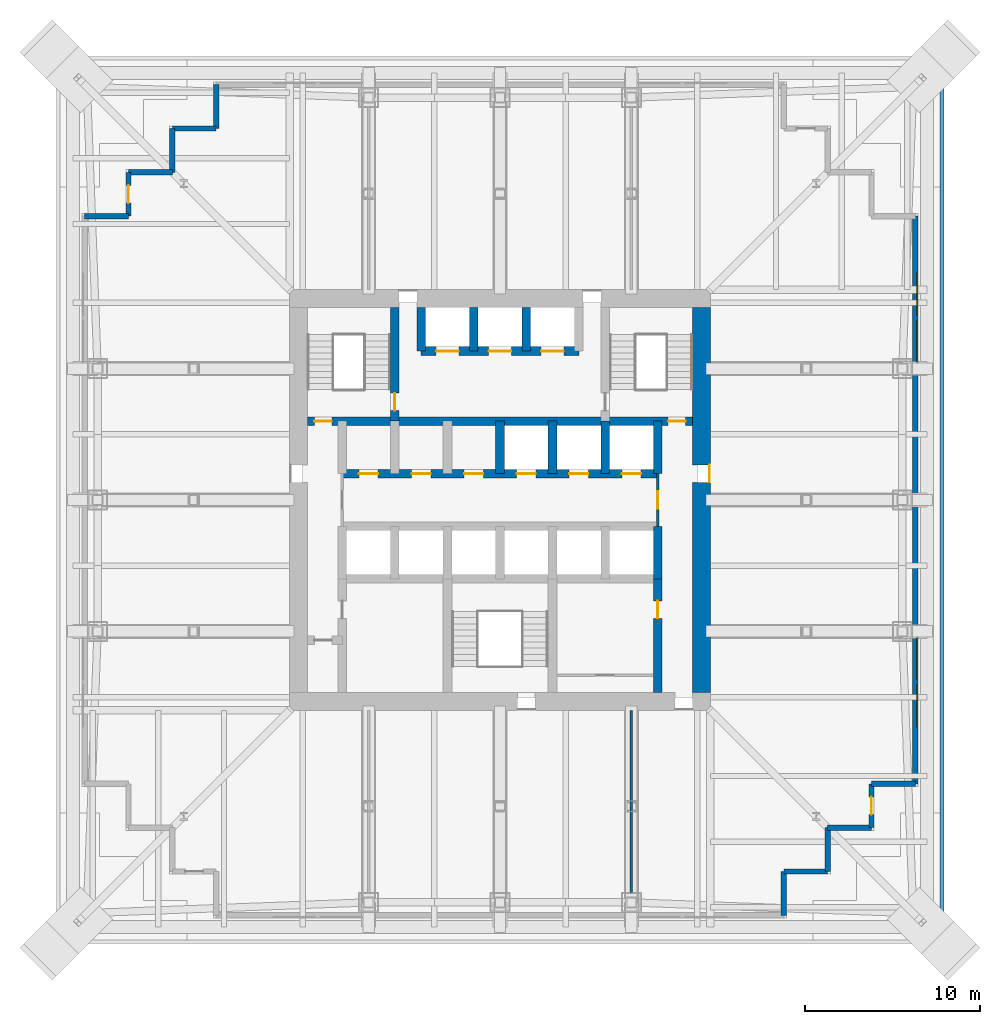
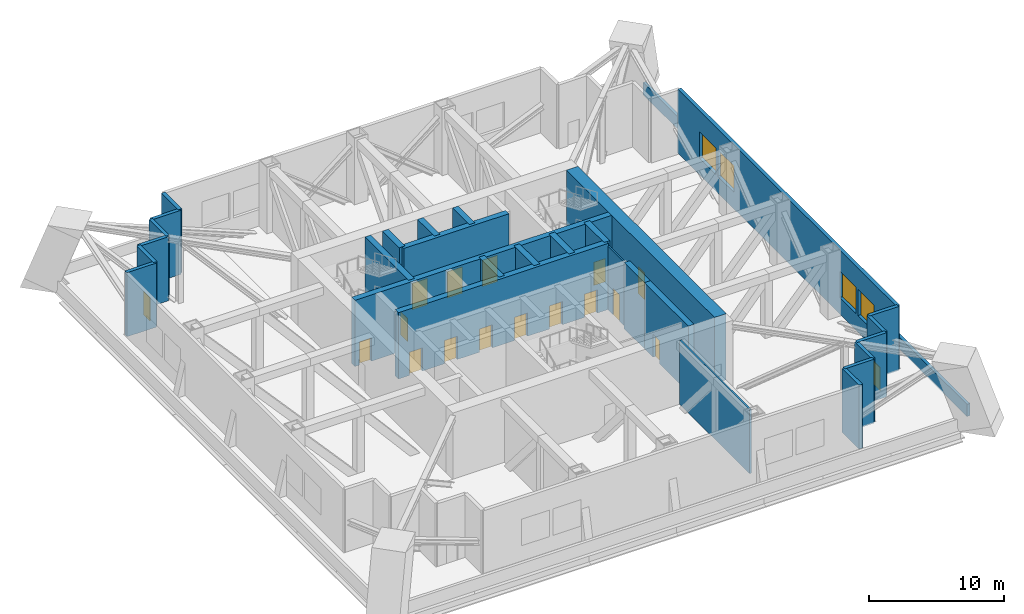
# One storey, part 6 of 10: 30 walls, 17 doors, 4 windows, 21 openings.
"""IFC4 building model written with IfcOpenShell, lengths in metres."""

import ifcopenshell
import ifcopenshell.guid

model = None  # the IFC model being written
_history = None  # IfcOwnerHistory: only IFC2X3 demands one
_inside = {}  # id of a spatial element -> (the spatial element, [elements in it])
_under = {}  # id of a project, library or spatial element -> (it, [spatial elements below it])
_declared = {}  # id of a project -> (the project, [libraries it declares])
_typed = {}  # id of a type object -> (the type object, [elements of that type])
_made_of = {}  # id of a material, layer set ... -> (it, [elements and type objects made of it])


def new_model(schema):
    """Start an empty IFC model of exactly this schema.

    Asked for "IFC4X3", IfcOpenShell would pick the latest addendum, in which some entities
    have other attributes; the version numbers below select the first issue.
    IFC2X3 requires an IfcOwnerHistory on every rooted entity: one is made here for all.
    """
    global model, _history
    if schema == "IFC4X3":
        model = ifcopenshell.file(schema_version=(4, 3, 0, 0))
    else:
        model = ifcopenshell.file(schema=schema)
    _inside.clear()
    _under.clear()
    _declared.clear()
    _typed.clear()
    _made_of.clear()
    _history = None
    if model.schema == "IFC2X3":
        org = make("IfcOrganization", Name="unknown")
        user = make(
            "IfcPersonAndOrganization",
            ThePerson=make("IfcPerson", FamilyName="unknown"),
            TheOrganization=org,
        )
        app = make(
            "IfcApplication",
            ApplicationDeveloper=org,
            Version="unknown",
            ApplicationFullName="unknown",
            ApplicationIdentifier="unknown",
        )
        _history = make(
            "IfcOwnerHistory",
            OwningUser=user,
            OwningApplication=app,
            ChangeAction="ADDED",
            CreationDate=0,
        )
    return model


def make(cls, **values):
    """One entity of the class cls with the attributes given. An attribute that is None is left unset."""
    return model.create_entity(
        cls, **{name: value for name, value in values.items() if value is not None}
    )


def rooted(cls, **values):
    """An entity with a GlobalId (a new one), such as an element, a storey or a relation."""
    return make(cls, GlobalId=ifcopenshell.guid.new(), OwnerHistory=_history, **values)


def si_unit(unit_type, name, prefix=None):
    """IfcSIUnit, for example si_unit("LENGTHUNIT", "METRE", prefix="MILLI")."""
    return make("IfcSIUnit", UnitType=unit_type, Prefix=prefix, Name=name)


def assignment(units):
    """IfcUnitAssignment: the units of a project."""
    return None if units is None else make("IfcUnitAssignment", Units=units)


def point(xyz):
    """IfcCartesianPoint."""
    return None if xyz is None else make("IfcCartesianPoint", Coordinates=xyz)


def direction(xyz):
    """IfcDirection."""
    return None if xyz is None else make("IfcDirection", DirectionRatios=xyz)


def frame(location, z_axis=None, x_axis=None):
    """IfcAxis2Placement3D, a coordinate frame: its origin and axes. An axis left out is left unset."""
    return make(
        "IfcAxis2Placement3D",
        Location=point(location),
        Axis=direction(z_axis),
        RefDirection=direction(x_axis),
    )


def frame_2d(location, x_axis=None):
    """IfcAxis2Placement2D, a coordinate frame in the plane: its origin and x axis."""
    return make(
        "IfcAxis2Placement2D", Location=point(location), RefDirection=direction(x_axis)
    )


def origin():
    """The frame at (0, 0, 0) with its axes left unset."""
    return frame((0.0, 0.0, 0.0))


def place(relative_to, where):
    """IfcLocalPlacement: puts the frame where relative to a parent placement (None: the world)."""
    return make(
        "IfcLocalPlacement", PlacementRelTo=relative_to, RelativePlacement=where
    )


def context(
    kind, dimensions, precision=None, world=None, true_north=None, identifier=None
):
    """IfcGeometricRepresentationContext, for example the 3D "Model" context."""
    return make(
        "IfcGeometricRepresentationContext",
        ContextIdentifier=identifier,
        ContextType=kind,
        CoordinateSpaceDimension=dimensions,
        Precision=precision,
        WorldCoordinateSystem=world,
        TrueNorth=true_north,
    )


def subcontext(parent, identifier, kind, view, scale=None):
    """IfcGeometricRepresentationSubContext, for example "Body" below "Model"."""
    return make(
        "IfcGeometricRepresentationSubContext",
        ContextIdentifier=identifier,
        ContextType=kind,
        ParentContext=parent,
        TargetScale=scale,
        TargetView=view,
    )


def project(units=None, contexts=None):
    """IfcProject with its units and contexts."""
    return rooted(
        "IfcProject",
        Name="project",
        RepresentationContexts=contexts,
        UnitsInContext=assignment(units),
    )


def spatial(cls, under=None, at=None, **own):
    """A site, building, storey or space (cls), placed at a placement, below another one or the project."""
    s = rooted(cls, ObjectPlacement=at, **own)
    if under is not None:
        _under.setdefault(under.id(), (under, []))[1].append(s)
    return s


def profile(cls, at=None, kind="AREA", **sizes):
    """A parametric profile (cls). Its sizes go by their IFC names, for example OverallWidth=200.0."""
    return make(cls, ProfileType=kind, Position=at, **sizes)


def rectangle(**sizes):
    """IfcRectangleProfileDef."""
    return profile("IfcRectangleProfileDef", **sizes)


def extrude(swept, where, along, depth):
    """IfcExtrudedAreaSolid: the profile swept, set in the frame where, extruded along a direction by depth."""
    return make(
        "IfcExtrudedAreaSolid",
        SweptArea=swept,
        Position=where,
        ExtrudedDirection=direction(along),
        Depth=depth,
    )


def shape(context_of_items, identifier, shape_type, items):
    """IfcShapeRepresentation: the items that make up one representation, for example the "Body"."""
    return make(
        "IfcShapeRepresentation",
        ContextOfItems=context_of_items,
        RepresentationIdentifier=identifier,
        RepresentationType=shape_type,
        Items=items,
    )


def material(Name=None, Category=None):
    """IfcMaterial."""
    return make("IfcMaterial", Name=Name, Category=Category)


def layer(
    of_material, thickness, ventilated=None, Name=None, Category=None, Priority=None
):
    """IfcMaterialLayer: one layer of a wall or slab, of a material (None: an air gap)."""
    return make(
        "IfcMaterialLayer",
        Material=of_material,
        LayerThickness=thickness,
        IsVentilated=ventilated,
        Name=Name,
        Category=Category,
        Priority=Priority,
    )


def layer_set(layers, Name=None):
    """IfcMaterialLayerSet."""
    return make("IfcMaterialLayerSet", MaterialLayers=layers, LayerSetName=Name)


def made_of(thing, what):
    """Note that an element or type object is made of a material, layer set ...; save() writes the relation."""
    if what is not None:
        _made_of.setdefault(what.id(), (what, []))[1].append(thing)
    return thing


def type_object(cls, material=None, **own):
    """A type object (cls), such as IfcWallType, which elements share."""
    return made_of(rooted(cls, **own), material)


def element(
    cls,
    number,
    at=None,
    inside=None,
    cuts=None,
    type_object=None,
    material=None,
    context=None,
    identifier="Body",
    shape_type=None,
    held_by="IfcProductDefinitionShape",
    body=None,
    shapes=None,
    **own,
):
    """One element of the class cls, such as IfcWall. Its Tag is "e" and its number.

    at: its placement. inside: the storey or other place that contains it. cuts: it is an
    opening in that element (IfcRelVoidsElement). A single representation is given by context,
    identifier, shape_type and body (its items); several are given by shapes. held_by: the class
    of the entity that holds the representations. save() writes the other relations.
    """
    e = rooted(cls, Tag="e%d" % number, ObjectPlacement=at, **own)
    if body is not None:
        shapes = [shape(context, identifier, shape_type, body)]
    if shapes is not None:
        e.Representation = make(held_by, Representations=shapes)
    if inside is not None:
        _inside.setdefault(inside.id(), (inside, []))[1].append(e)
    if cuts is not None:
        rooted(
            "IfcRelVoidsElement", RelatingBuildingElement=cuts, RelatedOpeningElement=e
        )
    if type_object is not None:
        _typed.setdefault(type_object.id(), (type_object, []))[1].append(e)
    return made_of(e, material)


def fill(opening, filler):
    """IfcRelFillsElement: the door or window that sits in an opening."""
    return rooted(
        "IfcRelFillsElement",
        RelatingOpeningElement=opening,
        RelatedBuildingElement=filler,
    )


def aggregate(whole, parts):
    """IfcRelAggregates: a whole, such as a stair, and the parts it consists of."""
    return rooted("IfcRelAggregates", RelatingObject=whole, RelatedObjects=parts)


def save(model, path):
    """Write the relations noted so far, then the file.

    IfcRelAggregates (storeys below a building ...), IfcRelContainedInSpatialStructure (elements
    in a storey), IfcRelDefinesByType, IfcRelAssociatesMaterial and IfcRelDeclares: one each for
    every whole, place, type object, material and project.
    """
    for whole, parts in _under.values():
        aggregate(whole, parts)
    for where, things in _inside.values():
        rooted(
            "IfcRelContainedInSpatialStructure",
            RelatedElements=things,
            RelatingStructure=where,
        )
    for kind, things in _typed.values():
        rooted("IfcRelDefinesByType", RelatedObjects=things, RelatingType=kind)
    for what, things in _made_of.values():
        rooted("IfcRelAssociatesMaterial", RelatedObjects=things, RelatingMaterial=what)
    for by, libraries in _declared.values():
        rooted("IfcRelDeclares", RelatingContext=by, RelatedDefinitions=libraries)
    model.write(path)


model = new_model("IFC4")

# Units and contexts
model_context = context("Model", 3, precision=1e-05, world=origin(), true_north=direction((0.0, 1.0)))
body_context = subcontext(model_context, "Body", "Model", "MODEL_VIEW")
ifc_project = project(units=[si_unit("LENGTHUNIT", "METRE"), si_unit("AREAUNIT", "SQUARE_METRE"), si_unit("VOLUMEUNIT", "CUBIC_METRE"), si_unit("PLANEANGLEUNIT", "RADIAN"), si_unit("MASSUNIT", "GRAM", prefix="KILO")], contexts=[model_context])

# Site, building, storey
site_placement = place(None, origin())
site = spatial("IfcSite", under=ifc_project, at=site_placement, CompositionType="ELEMENT")
building_placement = place(site_placement, origin())
building = spatial("IfcBuilding", under=site, at=building_placement, Name="Tarangal Relay Tower", CompositionType="ELEMENT")
storey_placement = place(building_placement, frame((0.0, 0.0, 98.39990234375)))
storey = spatial("IfcBuildingStorey", under=building, at=storey_placement, Name="L19", CompositionType="ELEMENT", Elevation=98.39990234375)

# Wall, openings, doors
ifc_material_1 = material(Name="Concrete fc' 60 MPa", Category="concrete")
ifc_layer_1 = layer(ifc_material_1, 0.5)
ifc_layer_set_1 = layer_set([ifc_layer_1], Name="Core inner wall 500")
wall_type_1 = type_object("IfcWallType", Name="Core inner wall 500", PredefinedType="SHEAR", material=ifc_layer_set_1)
wall_1_placement = place(storey_placement, frame((-11.0, 4.5, 0.0), z_axis=(0.0, 0.0, 1.0), x_axis=(1.0, 0.0, 0.0)))
wall_1 = element("IfcWall", 1, at=wall_1_placement, inside=storey, type_object=wall_type_1, Name="Core wall Y45 L19", PredefinedType="SHEAR", context=body_context, shape_type="SweptSolid", body=[
    extrude(rectangle(XDim=22.0, YDim=0.5, at=frame_2d((11.0, 0.0))), origin(), (0.0, 0.0, 1.0), 6.0),
])
opening_1_placement = place(wall_1_placement, frame((0.39990234375, 0.0, 0.0)))
opening_1 = element("IfcOpeningElement", 2, at=opening_1_placement, cuts=wall_1, Name="Opening FD1", PredefinedType="OPENING", context=body_context, shape_type="SweptSolid", body=[
    extrude(rectangle(XDim=1.0, YDim=2.10009765625, at=frame_2d((0.5, 1.050048828125))), frame((0.0, 0.260009765625, 0.0), z_axis=(0.0, -1.0, 0.0), x_axis=(1.0, 0.0, 0.0)), (0.0, 0.0, 1.0), 0.52001953125),
])
opening_2_placement = place(wall_1_placement, frame((20.60009765625, 0.0, 0.0)))
opening_2 = element("IfcOpeningElement", 3, at=opening_2_placement, cuts=wall_1, Name="Opening FD1", PredefinedType="OPENING", context=body_context, shape_type="SweptSolid", body=[
    extrude(rectangle(XDim=1.0, YDim=2.10009765625, at=frame_2d((0.5, 1.050048828125))), frame((0.0, 0.260009765625, 0.0), z_axis=(0.0, -1.0, 0.0), x_axis=(1.0, 0.0, 0.0)), (0.0, 0.0, 1.0), 0.52001953125),
])
ifc_material_2 = material(Name="Steel door with hardwood frame", Category="steel")
door_type_1 = type_object("IfcDoorType", Name="Fire door 1000 x 2100", OperationType="SINGLE_SWING_LEFT", PredefinedType="DOOR", material=ifc_material_2)
door_1_placement = place(opening_1_placement, origin())
door_1 = element("IfcDoor", 4, at=door_1_placement, inside=storey, type_object=door_type_1, Name="Stair ST-A door from corridor L19", OperationType="SINGLE_SWING_LEFT", OverallHeight=2.10009765625, OverallWidth=1.0, PredefinedType="DOOR", context=body_context, shape_type="SweptSolid", body=[
    extrude(rectangle(XDim=1.0, YDim=2.10009765625, at=frame_2d((0.5, 1.050048828125))), frame((0.0, 0.02490234375, 0.0), z_axis=(0.0, -1.0, 0.0), x_axis=(1.0, 0.0, 0.0)), (0.0, 0.0, 1.0), 0.050048828125),
])
fill(opening_1, door_1)
door_2_placement = place(opening_2_placement, origin())
door_2 = element("IfcDoor", 5, at=door_2_placement, inside=storey, type_object=door_type_1, Name="Stair ST-B door from corridor L19", OperationType="SINGLE_SWING_LEFT", OverallHeight=2.10009765625, OverallWidth=1.0, PredefinedType="DOOR", context=body_context, shape_type="SweptSolid", body=[
    extrude(rectangle(XDim=1.0, YDim=2.10009765625, at=frame_2d((0.5, 1.050048828125))), frame((0.0, 0.02490234375, 0.0), z_axis=(0.0, -1.0, 0.0), x_axis=(1.0, 0.0, 0.0)), (0.0, 0.0, 1.0), 0.050048828125),
])
fill(opening_2, door_2)

wall_2_placement = place(storey_placement, frame((-9.0, 1.5, 0.0), z_axis=(0.0, 0.0, 1.0), x_axis=(1.0, 0.0, 0.0)))
wall_2 = element("IfcWall", 6, at=wall_2_placement, inside=storey, type_object=wall_type_1, Name="Core wall Y15 L19", PredefinedType="SHEAR", context=body_context, shape_type="SweptSolid", body=[
    extrude(rectangle(XDim=18.0, YDim=0.5, at=frame_2d((9.0, 0.0))), origin(), (0.0, 0.0, 1.0), 6.0),
])
opening_3_placement = place(wall_2_placement, frame((9.949951171875, 0.0, 0.0)))
opening_3 = element("IfcOpeningElement", 7, at=opening_3_placement, cuts=wall_2, Name="Opening LD1", PredefinedType="OPENING", context=body_context, shape_type="SweptSolid", body=[
    extrude(rectangle(XDim=1.10009765625, YDim=2.10009765625, at=frame_2d((0.550048828125, 1.050048828125))), frame((0.0, 0.260009765625, 0.0), z_axis=(0.0, -1.0, 0.0), x_axis=(1.0, 0.0, 0.0)), (0.0, 0.0, 1.0), 0.52001953125),
])
opening_4_placement = place(wall_2_placement, frame((12.949951171875, 0.0, 0.0)))
opening_4 = element("IfcOpeningElement", 8, at=opening_4_placement, cuts=wall_2, Name="Opening LD1", PredefinedType="OPENING", context=body_context, shape_type="SweptSolid", body=[
    extrude(rectangle(XDim=1.10009765625, YDim=2.10009765625, at=frame_2d((0.550048828125, 1.050048828125))), frame((0.0, 0.260009765625, 0.0), z_axis=(0.0, -1.0, 0.0), x_axis=(1.0, 0.0, 0.0)), (0.0, 0.0, 1.0), 0.52001953125),
])
opening_5_placement = place(wall_2_placement, frame((15.949951171875, 0.0, 0.0)))
opening_5 = element("IfcOpeningElement", 9, at=opening_5_placement, cuts=wall_2, Name="Opening LD1", PredefinedType="OPENING", context=body_context, shape_type="SweptSolid", body=[
    extrude(rectangle(XDim=1.10009765625, YDim=2.10009765625, at=frame_2d((0.550048828125, 1.050048828125))), frame((0.0, 0.260009765625, 0.0), z_axis=(0.0, -1.0, 0.0), x_axis=(1.0, 0.0, 0.0)), (0.0, 0.0, 1.0), 0.52001953125),
])
opening_6_placement = place(wall_2_placement, frame((0.949951171875, 0.0, 0.0)))
opening_6 = element("IfcOpeningElement", 10, at=opening_6_placement, cuts=wall_2, Name="Opening D4", PredefinedType="OPENING", context=body_context, shape_type="SweptSolid", body=[
    extrude(rectangle(XDim=1.10009765625, YDim=2.10009765625, at=frame_2d((0.550048828125, 1.050048828125))), frame((0.0, 0.260009765625, 0.0), z_axis=(0.0, -1.0, 0.0), x_axis=(1.0, 0.0, 0.0)), (0.0, 0.0, 1.0), 0.52001953125),
])
opening_7_placement = place(wall_2_placement, frame((3.949951171875, 0.0, 0.0)))
opening_7 = element("IfcOpeningElement", 11, at=opening_7_placement, cuts=wall_2, Name="Opening D4", PredefinedType="OPENING", context=body_context, shape_type="SweptSolid", body=[
    extrude(rectangle(XDim=1.10009765625, YDim=2.10009765625, at=frame_2d((0.550048828125, 1.050048828125))), frame((0.0, 0.260009765625, 0.0), z_axis=(0.0, -1.0, 0.0), x_axis=(1.0, 0.0, 0.0)), (0.0, 0.0, 1.0), 0.52001953125),
])
opening_8_placement = place(wall_2_placement, frame((6.949951171875, 0.0, 0.0)))
opening_8 = element("IfcOpeningElement", 12, at=opening_8_placement, cuts=wall_2, Name="Opening D4", PredefinedType="OPENING", context=body_context, shape_type="SweptSolid", body=[
    extrude(rectangle(XDim=1.10009765625, YDim=2.10009765625, at=frame_2d((0.550048828125, 1.050048828125))), frame((0.0, 0.260009765625, 0.0), z_axis=(0.0, -1.0, 0.0), x_axis=(1.0, 0.0, 0.0)), (0.0, 0.0, 1.0), 0.52001953125),
])
door_type_2 = type_object("IfcDoorType", Name="Core room door 1100 x 2100", OperationType="SINGLE_SWING_RIGHT", PredefinedType="DOOR", material=ifc_material_2)
door_3_placement = place(opening_6_placement, origin())
door_3 = element("IfcDoor", 13, at=door_3_placement, inside=storey, type_object=door_type_2, Name="Door D4 to back-of-house plant room L19-D1", OperationType="SINGLE_SWING_RIGHT", OverallHeight=2.10009765625, OverallWidth=1.10009765625, PredefinedType="DOOR", context=body_context, shape_type="SweptSolid", body=[
    extrude(rectangle(XDim=1.10009765625, YDim=2.10009765625, at=frame_2d((0.550048828125, 1.050048828125))), frame((0.0, 0.02490234375, 0.0), z_axis=(0.0, -1.0, 0.0), x_axis=(1.0, 0.0, 0.0)), (0.0, 0.0, 1.0), 0.050048828125),
])
fill(opening_6, door_3)
door_4_placement = place(opening_7_placement, origin())
door_4 = element("IfcDoor", 14, at=door_4_placement, inside=storey, type_object=door_type_2, Name="Door D4 to back-of-house plant room L19-D2", OperationType="SINGLE_SWING_RIGHT", OverallHeight=2.10009765625, OverallWidth=1.10009765625, PredefinedType="DOOR", context=body_context, shape_type="SweptSolid", body=[
    extrude(rectangle(XDim=1.10009765625, YDim=2.10009765625, at=frame_2d((0.550048828125, 1.050048828125))), frame((0.0, 0.02490234375, 0.0), z_axis=(0.0, -1.0, 0.0), x_axis=(1.0, 0.0, 0.0)), (0.0, 0.0, 1.0), 0.050048828125),
])
fill(opening_7, door_4)
door_5_placement = place(opening_8_placement, origin())
door_5 = element("IfcDoor", 15, at=door_5_placement, inside=storey, type_object=door_type_2, Name="Door D4 to back-of-house plant room L19-D3", OperationType="SINGLE_SWING_RIGHT", OverallHeight=2.10009765625, OverallWidth=1.10009765625, PredefinedType="DOOR", context=body_context, shape_type="SweptSolid", body=[
    extrude(rectangle(XDim=1.10009765625, YDim=2.10009765625, at=frame_2d((0.550048828125, 1.050048828125))), frame((0.0, 0.02490234375, 0.0), z_axis=(0.0, -1.0, 0.0), x_axis=(1.0, 0.0, 0.0)), (0.0, 0.0, 1.0), 0.050048828125),
])
fill(opening_8, door_5)
door_type_3 = type_object("IfcDoorType", Name="Lift landing door 1100 x 2100", OperationType="SLIDING_TO_LEFT", PredefinedType="DOOR", material=ifc_material_2)
door_6_placement = place(opening_3_placement, origin())
door_6 = element("IfcDoor", 16, at=door_6_placement, inside=storey, type_object=door_type_3, Name="Lift T1 landing door L19", OperationType="SLIDING_TO_LEFT", OverallHeight=2.10009765625, OverallWidth=1.10009765625, PredefinedType="DOOR", context=body_context, shape_type="SweptSolid", body=[
    extrude(rectangle(XDim=1.10009765625, YDim=2.10009765625, at=frame_2d((0.550048828125, 1.050048828125))), frame((0.0, 0.02490234375, 0.0), z_axis=(0.0, -1.0, 0.0), x_axis=(1.0, 0.0, 0.0)), (0.0, 0.0, 1.0), 0.050048828125),
])
fill(opening_3, door_6)
door_7_placement = place(opening_4_placement, origin())
door_7 = element("IfcDoor", 17, at=door_7_placement, inside=storey, type_object=door_type_3, Name="Lift T2 landing door L19", OperationType="SLIDING_TO_LEFT", OverallHeight=2.10009765625, OverallWidth=1.10009765625, PredefinedType="DOOR", context=body_context, shape_type="SweptSolid", body=[
    extrude(rectangle(XDim=1.10009765625, YDim=2.10009765625, at=frame_2d((0.550048828125, 1.050048828125))), frame((0.0, 0.02490234375, 0.0), z_axis=(0.0, -1.0, 0.0), x_axis=(1.0, 0.0, 0.0)), (0.0, 0.0, 1.0), 0.050048828125),
])
fill(opening_4, door_7)
door_8_placement = place(opening_5_placement, origin())
door_8 = element("IfcDoor", 18, at=door_8_placement, inside=storey, type_object=door_type_3, Name="Lift T3 landing door L19", OperationType="SLIDING_TO_LEFT", OverallHeight=2.10009765625, OverallWidth=1.10009765625, PredefinedType="DOOR", context=body_context, shape_type="SweptSolid", body=[
    extrude(rectangle(XDim=1.10009765625, YDim=2.10009765625, at=frame_2d((0.550048828125, 1.050048828125))), frame((0.0, 0.02490234375, 0.0), z_axis=(0.0, -1.0, 0.0), x_axis=(1.0, 0.0, 0.0)), (0.0, 0.0, 1.0), 0.050048828125),
])
fill(opening_5, door_8)

wall_3_placement = place(storey_placement, frame((-4.5, 8.5, 0.0), z_axis=(0.0, 0.0, 1.0), x_axis=(1.0, 0.0, 0.0)))
wall_3 = element("IfcWall", 19, at=wall_3_placement, inside=storey, type_object=wall_type_1, Name="Core wall Y85 L19", PredefinedType="SHEAR", context=body_context, shape_type="SweptSolid", body=[
    extrude(rectangle(XDim=9.0, YDim=0.5, at=frame_2d((4.5, 0.0))), origin(), (0.0, 0.0, 1.0), 6.0),
])
opening_9_placement = place(wall_3_placement, frame((0.85009765625, 0.0, 0.0)))
opening_9 = element("IfcOpeningElement", 20, at=opening_9_placement, cuts=wall_3, Name="Opening LD2", PredefinedType="OPENING", context=body_context, shape_type="SweptSolid", body=[
    extrude(rectangle(XDim=1.300048828125, YDim=2.39990234375, at=frame_2d((0.64990234375, 1.199951171875))), frame((0.0, 0.260009765625, 0.0), z_axis=(0.0, -1.0, 0.0), x_axis=(1.0, 0.0, 0.0)), (0.0, 0.0, 1.0), 0.52001953125),
])
opening_10_placement = place(wall_3_placement, frame((6.85009765625, 0.0, 0.0)))
opening_10 = element("IfcOpeningElement", 21, at=opening_10_placement, cuts=wall_3, Name="Opening LD2", PredefinedType="OPENING", context=body_context, shape_type="SweptSolid", body=[
    extrude(rectangle(XDim=1.300048828125, YDim=2.39990234375, at=frame_2d((0.64990234375, 1.199951171875))), frame((0.0, 0.260009765625, 0.0), z_axis=(0.0, -1.0, 0.0), x_axis=(1.0, 0.0, 0.0)), (0.0, 0.0, 1.0), 0.52001953125),
])
opening_11_placement = place(wall_3_placement, frame((3.85009765625, 0.0, 0.0)))
opening_11 = element("IfcOpeningElement", 22, at=opening_11_placement, cuts=wall_3, Name="Opening LD2", PredefinedType="OPENING", context=body_context, shape_type="SweptSolid", body=[
    extrude(rectangle(XDim=1.300048828125, YDim=2.39990234375, at=frame_2d((0.64990234375, 1.199951171875))), frame((0.0, 0.260009765625, 0.0), z_axis=(0.0, -1.0, 0.0), x_axis=(1.0, 0.0, 0.0)), (0.0, 0.0, 1.0), 0.52001953125),
])
door_type_4 = type_object("IfcDoorType", Name="Lift landing door 1300 x 2400", OperationType="SLIDING_TO_LEFT", PredefinedType="DOOR", material=ifc_material_2)
door_9_placement = place(opening_9_placement, origin())
door_9 = element("IfcDoor", 23, at=door_9_placement, inside=storey, type_object=door_type_4, Name="Lift FF1 landing door L19", OperationType="SLIDING_TO_LEFT", OverallHeight=2.39990234375, OverallWidth=1.300048828125, PredefinedType="DOOR", context=body_context, shape_type="SweptSolid", body=[
    extrude(rectangle(XDim=1.300048828125, YDim=2.39990234375, at=frame_2d((0.64990234375, 1.199951171875))), frame((0.0, 0.02490234375, 0.0), z_axis=(0.0, -1.0, 0.0), x_axis=(1.0, 0.0, 0.0)), (0.0, 0.0, 1.0), 0.050048828125),
])
fill(opening_9, door_9)
door_10_placement = place(opening_10_placement, origin())
door_10 = element("IfcDoor", 24, at=door_10_placement, inside=storey, type_object=door_type_4, Name="Lift FF2 landing door L19", OperationType="SLIDING_TO_LEFT", OverallHeight=2.39990234375, OverallWidth=1.300048828125, PredefinedType="DOOR", context=body_context, shape_type="SweptSolid", body=[
    extrude(rectangle(XDim=1.300048828125, YDim=2.39990234375, at=frame_2d((0.64990234375, 1.199951171875))), frame((0.0, 0.02490234375, 0.0), z_axis=(0.0, -1.0, 0.0), x_axis=(1.0, 0.0, 0.0)), (0.0, 0.0, 1.0), 0.050048828125),
])
fill(opening_10, door_10)
door_11_placement = place(opening_11_placement, origin())
door_11 = element("IfcDoor", 25, at=door_11_placement, inside=storey, type_object=door_type_4, Name="Lift SV1 landing door L19", OperationType="SLIDING_TO_LEFT", OverallHeight=2.39990234375, OverallWidth=1.300048828125, PredefinedType="DOOR", context=body_context, shape_type="SweptSolid", body=[
    extrude(rectangle(XDim=1.300048828125, YDim=2.39990234375, at=frame_2d((0.64990234375, 1.199951171875))), frame((0.0, 0.02490234375, 0.0), z_axis=(0.0, -1.0, 0.0), x_axis=(1.0, 0.0, 0.0)), (0.0, 0.0, 1.0), 0.050048828125),
])
fill(opening_11, door_11)

# Walls
for number, where, z_axis, x_axis, name in (
    (26, (9.0, 1.5, 0.0), (0.0, 0.0, 1.0), (0.0, 1.0, 0.0), "Core wall X9N L19"),
    (27, (9.0, -4.5, 0.0), (0.0, 0.0, 1.0), (0.0, 1.0, 0.0), "Core wall X9S L19"),
    (28, (0.0, 1.5, 0.0), (0.0, 0.0, 1.0), (0.0, 1.0, 0.0), "Core wall X0N L19"),
    (29, (3.0, 1.5, 0.0), (0.0, 0.0, 1.0), (0.0, 1.0, 0.0), "Core wall X3N L19"),
    (30, (6.0, 1.5, 0.0), (0.0, 0.0, 1.0), (0.0, 1.0, 0.0), "Core wall X6N L19"),
):
    element("IfcWall", number, at=place(storey_placement, frame(where, z_axis=z_axis, x_axis=x_axis)), inside=storey, type_object=wall_type_1, Name=name, PredefinedType="SHEAR", context=body_context, shape_type="SweptSolid", body=[
        extrude(rectangle(XDim=3.0, YDim=0.5, at=frame_2d((1.5, 0.0))), origin(), (0.0, 0.0, 1.0), 6.0),
    ])

# Wall, opening, door
wall_4_placement = place(storey_placement, frame((-6.0, 4.5, 0.0), z_axis=(0.0, 0.0, 1.0), x_axis=(0.0, 1.0, 0.0)))
wall_4 = element("IfcWall", 31, at=wall_4_placement, inside=storey, type_object=wall_type_1, Name="Core wall XM6 L19", PredefinedType="SHEAR", context=body_context, shape_type="SweptSolid", body=[
    extrude(rectangle(XDim=6.5, YDim=0.5, at=frame_2d((3.25, 0.0))), origin(), (0.0, 0.0, 1.0), 6.0),
])
opening_12_placement = place(wall_4_placement, frame((0.60009765625, 0.0, 0.0)))
opening_12 = element("IfcOpeningElement", 32, at=opening_12_placement, cuts=wall_4, Name="Opening FD1", PredefinedType="OPENING", context=body_context, shape_type="SweptSolid", body=[
    extrude(rectangle(XDim=1.0, YDim=2.10009765625, at=frame_2d((0.5, 1.050048828125))), frame((0.0, 0.260009765625, 0.0), z_axis=(0.0, -1.0, 0.0), x_axis=(1.0, 0.0, 0.0)), (0.0, 0.0, 1.0), 0.52001953125),
])
door_12_placement = place(opening_12_placement, origin())
door_12 = element("IfcDoor", 33, at=door_12_placement, inside=storey, type_object=door_type_1, Name="Stair ST-A door from fire-fighting lobby L19", OperationType="SINGLE_SWING_LEFT", OverallHeight=2.10009765625, OverallWidth=1.0, PredefinedType="DOOR", context=body_context, shape_type="SweptSolid", body=[
    extrude(rectangle(XDim=1.0, YDim=2.10009765625, at=frame_2d((0.5, 1.050048828125))), frame((0.0, 0.02490234375, 0.0), z_axis=(0.0, -1.0, 0.0), x_axis=(1.0, 0.0, 0.0)), (0.0, 0.0, 1.0), 0.050048828125),
])
fill(opening_12, door_12)

# Walls
for number, where, z_axis, x_axis, name in (
    (34, (-4.5, 8.5, 0.0), (0.0, 0.0, 1.0), (0.0, 1.0, 0.0), "Core wall XM45 L19"),
    (35, (-1.5, 8.5, 0.0), (0.0, 0.0, 1.0), (0.0, 1.0, 0.0), "Core wall XM15 L19"),
    (36, (1.5, 8.5, 0.0), (0.0, 0.0, 1.0), (0.0, 1.0, 0.0), "Core wall X15 L19"),
):
    element("IfcWall", number, at=place(storey_placement, frame(where, z_axis=z_axis, x_axis=x_axis)), inside=storey, type_object=wall_type_1, Name=name, PredefinedType="SHEAR", context=body_context, shape_type="SweptSolid", body=[
        extrude(rectangle(XDim=2.5, YDim=0.5, at=frame_2d((1.25, 0.0))), origin(), (0.0, 0.0, 1.0), 6.0),
    ])

# Wall, opening, door
wall_5_placement = place(storey_placement, frame((9.0, -11.0, 0.0), z_axis=(0.0, 0.0, 1.0), x_axis=(0.0, 1.0, 0.0)))
wall_5 = element("IfcWall", 37, at=wall_5_placement, inside=storey, type_object=wall_type_1, Name="Core wall X9W L19", PredefinedType="SHEAR", context=body_context, shape_type="SweptSolid", body=[
    extrude(rectangle(XDim=6.5, YDim=0.5, at=frame_2d((3.25, 0.0))), origin(), (0.0, 0.0, 1.0), 6.0),
])
opening_13_placement = place(wall_5_placement, frame((4.25, 0.0, 0.0)))
opening_13 = element("IfcOpeningElement", 38, at=opening_13_placement, cuts=wall_5, Name="Opening D1", PredefinedType="OPENING", context=body_context, shape_type="SweptSolid", body=[
    extrude(rectangle(XDim=1.0, YDim=2.10009765625, at=frame_2d((0.5, 1.050048828125))), frame((0.0, 0.260009765625, 0.0), z_axis=(0.0, -1.0, 0.0), x_axis=(1.0, 0.0, 0.0)), (0.0, 0.0, 1.0), 0.52001953125),
])
ifc_material_3 = material(Name="Hardwood door", Category="wood")
door_type_5 = type_object("IfcDoorType", Name="WC door 1000 x 2100", OperationType="SINGLE_SWING_LEFT", PredefinedType="DOOR", material=ifc_material_3)
door_13_placement = place(opening_13_placement, origin())
door_13 = element("IfcDoor", 39, at=door_13_placement, inside=storey, type_object=door_type_5, Name="Female WC door L19", OperationType="SINGLE_SWING_LEFT", OverallHeight=2.10009765625, OverallWidth=1.0, PredefinedType="DOOR", context=body_context, shape_type="SweptSolid", body=[
    extrude(rectangle(XDim=1.0, YDim=2.10009765625, at=frame_2d((0.5, 1.050048828125))), frame((0.0, 0.02490234375, 0.0), z_axis=(0.0, -1.0, 0.0), x_axis=(1.0, 0.0, 0.0)), (0.0, 0.0, 1.0), 0.050048828125),
])
fill(opening_13, door_13)

ifc_layer_2 = layer(ifc_material_1, 1.0)
ifc_layer_set_2 = layer_set([ifc_layer_2], Name="Core wall 1000")
wall_type_2 = type_object("IfcWallType", Name="Core wall 1000", PredefinedType="SHEAR", material=ifc_layer_set_2)
wall_6_placement = place(storey_placement, frame((11.5, 11.0, 0.0), z_axis=(0.0, 0.0, 1.0), x_axis=(0.0, -1.0, 0.0)))
wall_6 = element("IfcWall", 40, at=wall_6_placement, inside=storey, type_object=wall_type_2, Name="Core wall E L19", PredefinedType="SHEAR", context=body_context, shape_type="SweptSolid", body=[
    extrude(rectangle(XDim=22.0, YDim=1.0, at=frame_2d((11.0, 0.0))), origin(), (0.0, 0.0, 1.0), 6.0),
])
opening_14_placement = place(wall_6_placement, frame((9.0, 0.0, 0.0)))
opening_14 = element("IfcOpeningElement", 41, at=opening_14_placement, cuts=wall_6, Name="Opening FD3", PredefinedType="OPENING", context=body_context, shape_type="SweptSolid", body=[
    extrude(rectangle(XDim=1.0, YDim=2.39990234375, at=frame_2d((0.5, 1.199951171875))), frame((0.0, 0.510009765625, 0.0), z_axis=(0.0, -1.0, 0.0), x_axis=(1.0, 0.0, 0.0)), (0.0, 0.0, 1.0), 1.02001953125),
])
door_type_6 = type_object("IfcDoorType", Name="Fire door 1000 x 2400 core entry", OperationType="SINGLE_SWING_RIGHT", PredefinedType="DOOR", material=ifc_material_2)
door_14_placement = place(opening_14_placement, origin())
door_14 = element("IfcDoor", 42, at=door_14_placement, inside=storey, type_object=door_type_6, Name="Core entry door east L19", OperationType="SINGLE_SWING_RIGHT", OverallHeight=2.39990234375, OverallWidth=1.0, PredefinedType="DOOR", context=body_context, shape_type="SweptSolid", body=[
    extrude(rectangle(XDim=1.0, YDim=2.39990234375, at=frame_2d((0.5, 1.199951171875))), frame((0.0, 0.48486328125, 0.0), z_axis=(0.0, -1.0, 0.0), x_axis=(1.0, 0.0, 0.0)), (0.0, 0.0, 1.0), 0.050048828125),
])
fill(opening_14, door_14)

# Wall, openings, windows
ifc_material_4 = material(Name="Insulated precast concrete fc' 40 MPa", Category="concrete")
ifc_layer_3 = layer(ifc_material_4, 0.300048828125)
ifc_layer_set_3 = layer_set([ifc_layer_3], Name="Insulated precast concrete fc' 40 MPa")
wall_type_3 = type_object("IfcWallType", Name="Facade wall precast 300", PredefinedType="SOLIDWALL", material=ifc_layer_set_3)
wall_7_placement = place(storey_placement, frame((23.699951171875, 16.199951171875, 0.0), z_axis=(0.0, 0.0, 1.0), x_axis=(0.0, -1.0, 0.0)))
wall_7 = element("IfcWall", 43, at=wall_7_placement, inside=storey, type_object=wall_type_3, Name="Facade wall E facade L19", PredefinedType="SOLIDWALL", context=body_context, shape_type="SweptSolid", body=[
    extrude(rectangle(XDim=32.39990234375, YDim=0.300048828125, at=frame_2d((16.199951171875, 0.0))), origin(), (0.0, 0.0, 1.0), 5.800048828125),
])
opening_15_placement = place(wall_7_placement, frame((3.25, 0.0, 1.5)))
opening_15 = element("IfcOpeningElement", 44, at=opening_15_placement, cuts=wall_7, Name="Opening LV1", PredefinedType="OPENING", context=body_context, shape_type="SweptSolid", body=[
    extrude(rectangle(XDim=2.39990234375, YDim=2.39990234375, at=frame_2d((1.199951171875, 1.199951171875))), frame((0.0, 0.159912109375, 0.0), z_axis=(0.0, -1.0, 0.0), x_axis=(1.0, 0.0, 0.0)), (0.0, 0.0, 1.0), 0.320068359375),
])
opening_16_placement = place(wall_7_placement, frame((5.949951171875, 0.0, 1.5)))
opening_16 = element("IfcOpeningElement", 45, at=opening_16_placement, cuts=wall_7, Name="Opening LV1", PredefinedType="OPENING", context=body_context, shape_type="SweptSolid", body=[
    extrude(rectangle(XDim=2.39990234375, YDim=2.39990234375, at=frame_2d((1.199951171875, 1.199951171875))), frame((0.0, 0.159912109375, 0.0), z_axis=(0.0, -1.0, 0.0), x_axis=(1.0, 0.0, 0.0)), (0.0, 0.0, 1.0), 0.320068359375),
])
opening_17_placement = place(wall_7_placement, frame((24.050048828125, 0.0, 1.5)))
opening_17 = element("IfcOpeningElement", 46, at=opening_17_placement, cuts=wall_7, Name="Opening LV1", PredefinedType="OPENING", context=body_context, shape_type="SweptSolid", body=[
    extrude(rectangle(XDim=2.39990234375, YDim=2.39990234375, at=frame_2d((1.199951171875, 1.199951171875))), frame((0.0, 0.159912109375, 0.0), z_axis=(0.0, -1.0, 0.0), x_axis=(1.0, 0.0, 0.0)), (0.0, 0.0, 1.0), 0.320068359375),
])
opening_18_placement = place(wall_7_placement, frame((26.75, 0.0, 1.5)))
opening_18 = element("IfcOpeningElement", 47, at=opening_18_placement, cuts=wall_7, Name="Opening LV1", PredefinedType="OPENING", context=body_context, shape_type="SweptSolid", body=[
    extrude(rectangle(XDim=2.39990234375, YDim=2.39990234375, at=frame_2d((1.199951171875, 1.199951171875))), frame((0.0, 0.159912109375, 0.0), z_axis=(0.0, -1.0, 0.0), x_axis=(1.0, 0.0, 0.0)), (0.0, 0.0, 1.0), 0.320068359375),
])
ifc_material_5 = material(Name="Black aluminium weather louvre", Category="aluminium")
window_type = type_object("IfcWindowType", Name="Louvre 2400 x 2400", PartitioningType="SINGLE_PANEL", PredefinedType="WINDOW", material=ifc_material_5)
window_1_placement = place(opening_15_placement, origin())
window_1 = element("IfcWindow", 48, at=window_1_placement, inside=storey, type_object=window_type, Name="Louvre LV1 E facade L19", OverallHeight=2.39990234375, OverallWidth=2.39990234375, PartitioningType="SINGLE_PANEL", PredefinedType="WINDOW", context=body_context, shape_type="SweptSolid", body=[
    extrude(rectangle(XDim=2.39990234375, YDim=2.39990234375, at=frame_2d((1.199951171875, 1.199951171875))), frame((0.0, 0.150146484375, 0.0), z_axis=(0.0, -1.0, 0.0), x_axis=(1.0, 0.0, 0.0)), (0.0, 0.0, 1.0), 0.06005859375),
])
fill(opening_15, window_1)
window_2_placement = place(opening_16_placement, origin())
window_2 = element("IfcWindow", 49, at=window_2_placement, inside=storey, type_object=window_type, Name="Louvre LV1 E facade L19", OverallHeight=2.39990234375, OverallWidth=2.39990234375, PartitioningType="SINGLE_PANEL", PredefinedType="WINDOW", context=body_context, shape_type="SweptSolid", body=[
    extrude(rectangle(XDim=2.39990234375, YDim=2.39990234375, at=frame_2d((1.199951171875, 1.199951171875))), frame((0.0, 0.150146484375, 0.0), z_axis=(0.0, -1.0, 0.0), x_axis=(1.0, 0.0, 0.0)), (0.0, 0.0, 1.0), 0.06005859375),
])
fill(opening_16, window_2)
window_3_placement = place(opening_17_placement, origin())
window_3 = element("IfcWindow", 50, at=window_3_placement, inside=storey, type_object=window_type, Name="Louvre LV1 E facade L19", OverallHeight=2.39990234375, OverallWidth=2.39990234375, PartitioningType="SINGLE_PANEL", PredefinedType="WINDOW", context=body_context, shape_type="SweptSolid", body=[
    extrude(rectangle(XDim=2.39990234375, YDim=2.39990234375, at=frame_2d((1.199951171875, 1.199951171875))), frame((0.0, 0.150146484375, 0.0), z_axis=(0.0, -1.0, 0.0), x_axis=(1.0, 0.0, 0.0)), (0.0, 0.0, 1.0), 0.06005859375),
])
fill(opening_17, window_3)
window_4_placement = place(opening_18_placement, origin())
window_4 = element("IfcWindow", 51, at=window_4_placement, inside=storey, type_object=window_type, Name="Louvre LV1 E facade L19", OverallHeight=2.39990234375, OverallWidth=2.39990234375, PartitioningType="SINGLE_PANEL", PredefinedType="WINDOW", context=body_context, shape_type="SweptSolid", body=[
    extrude(rectangle(XDim=2.39990234375, YDim=2.39990234375, at=frame_2d((1.199951171875, 1.199951171875))), frame((0.0, 0.150146484375, 0.0), z_axis=(0.0, -1.0, 0.0), x_axis=(1.0, 0.0, 0.0)), (0.0, 0.0, 1.0), 0.06005859375),
])
fill(opening_18, window_4)

# Wall
wall_8_placement = place(storey_placement, frame((23.699951171875, -16.199951171875, 0.0), z_axis=(0.0, 0.0, 1.0), x_axis=(-1.0, 0.0, 0.0)))
element("IfcWall", 52, at=wall_8_placement, inside=storey, type_object=wall_type_3, Name="Facade wall E facade L19", PredefinedType="SOLIDWALL", context=body_context, shape_type="SweptSolid", body=[
    extrude(rectangle(XDim=2.5, YDim=0.300048828125, at=frame_2d((1.25, 0.0))), origin(), (0.0, 0.0, 1.0), 5.800048828125),
])

# Wall, opening, door
wall_9_placement = place(storey_placement, frame((21.199951171875, -16.199951171875, 0.0), z_axis=(0.0, 0.0, 1.0), x_axis=(0.0, -1.0, 0.0)))
wall_9 = element("IfcWall", 53, at=wall_9_placement, inside=storey, type_object=wall_type_3, Name="Facade wall E facade L19", PredefinedType="SOLIDWALL", context=body_context, shape_type="SweptSolid", body=[
    extrude(rectangle(XDim=2.5, YDim=0.300048828125, at=frame_2d((1.25, 0.0))), origin(), (0.0, 0.0, 1.0), 5.800048828125),
])
opening_19_placement = place(wall_9_placement, frame((0.75, 0.0, 0.0)))
opening_19 = element("IfcOpeningElement", 54, at=opening_19_placement, cuts=wall_9, Name="Opening MD1", PredefinedType="OPENING", context=body_context, shape_type="SweptSolid", body=[
    extrude(rectangle(XDim=1.0, YDim=2.10009765625, at=frame_2d((0.5, 1.050048828125))), frame((0.0, 0.159912109375, 0.0), z_axis=(0.0, -1.0, 0.0), x_axis=(1.0, 0.0, 0.0)), (0.0, 0.0, 1.0), 0.320068359375),
])
door_type_7 = type_object("IfcDoorType", Name="Maintenance access door 1000 x 2100", OperationType="SINGLE_SWING_RIGHT", PredefinedType="DOOR", material=ifc_material_2)
door_15_placement = place(opening_19_placement, origin())
door_15 = element("IfcDoor", 55, at=door_15_placement, inside=storey, type_object=door_type_7, Name="Maintenance access door MD1 SE L19", OperationType="SINGLE_SWING_RIGHT", OverallHeight=2.10009765625, OverallWidth=1.0, PredefinedType="DOOR", context=body_context, shape_type="SweptSolid", body=[
    extrude(rectangle(XDim=1.0, YDim=2.10009765625, at=frame_2d((0.5, 1.050048828125))), frame((0.0, 0.02490234375, 0.0), z_axis=(0.0, -1.0, 0.0), x_axis=(1.0, 0.0, 0.0)), (0.0, 0.0, 1.0), 0.050048828125),
])
fill(opening_19, door_15)

# Walls
for number, where, z_axis, x_axis, name in (
    (56, (21.199951171875, -18.699951171875, 0.0), (0.0, 0.0, 1.0), (-1.0, 0.0, 0.0), "Facade wall E facade L19"),
    (57, (18.699951171875, -18.699951171875, 0.0), (0.0, 0.0, 1.0), (0.0, -1.0, 0.0), "Facade wall E facade L19"),
    (58, (18.699951171875, -21.199951171875, 0.0), (0.0, 0.0, 1.0), (-1.0, 0.0, 0.0), "Facade wall E facade L19"),
    (59, (16.199951171875, -21.199951171875, 0.0), (0.0, 0.0, 1.0), (0.0, -1.0, 0.0), "Facade wall E facade L19"),
    (60, (-23.699951171875, 16.199951171875, 0.0), (0.0, 0.0, 1.0), (1.0, 0.0, 0.0), "Facade wall W facade L19"),
):
    element("IfcWall", number, at=place(storey_placement, frame(where, z_axis=z_axis, x_axis=x_axis)), inside=storey, type_object=wall_type_3, Name=name, PredefinedType="SOLIDWALL", context=body_context, shape_type="SweptSolid", body=[
        extrude(rectangle(XDim=2.5, YDim=0.300048828125, at=frame_2d((1.25, 0.0))), origin(), (0.0, 0.0, 1.0), 5.800048828125),
    ])

# Wall, opening, door
wall_10_placement = place(storey_placement, frame((-21.199951171875, 16.199951171875, 0.0), z_axis=(0.0, 0.0, 1.0), x_axis=(0.0, 1.0, 0.0)))
wall_10 = element("IfcWall", 61, at=wall_10_placement, inside=storey, type_object=wall_type_3, Name="Facade wall W facade L19", PredefinedType="SOLIDWALL", context=body_context, shape_type="SweptSolid", body=[
    extrude(rectangle(XDim=2.5, YDim=0.300048828125, at=frame_2d((1.25, 0.0))), origin(), (0.0, 0.0, 1.0), 5.800048828125),
])
opening_20_placement = place(wall_10_placement, frame((0.75, 0.0, 0.0)))
opening_20 = element("IfcOpeningElement", 62, at=opening_20_placement, cuts=wall_10, Name="Opening MD1", PredefinedType="OPENING", context=body_context, shape_type="SweptSolid", body=[
    extrude(rectangle(XDim=1.0, YDim=2.10009765625, at=frame_2d((0.5, 1.050048828125))), frame((0.0, 0.159912109375, 0.0), z_axis=(0.0, -1.0, 0.0), x_axis=(1.0, 0.0, 0.0)), (0.0, 0.0, 1.0), 0.320068359375),
])
door_16_placement = place(opening_20_placement, origin())
door_16 = element("IfcDoor", 63, at=door_16_placement, inside=storey, type_object=door_type_7, Name="Maintenance access door MD1 NW L19", OperationType="SINGLE_SWING_RIGHT", OverallHeight=2.10009765625, OverallWidth=1.0, PredefinedType="DOOR", context=body_context, shape_type="SweptSolid", body=[
    extrude(rectangle(XDim=1.0, YDim=2.10009765625, at=frame_2d((0.5, 1.050048828125))), frame((0.0, 0.02490234375, 0.0), z_axis=(0.0, -1.0, 0.0), x_axis=(1.0, 0.0, 0.0)), (0.0, 0.0, 1.0), 0.050048828125),
])
fill(opening_20, door_16)

# Walls
for number, where, z_axis, x_axis, name in (
    (64, (-21.199951171875, 18.699951171875, 0.0), (0.0, 0.0, 1.0), (1.0, 0.0, 0.0), "Facade wall W facade L19"),
    (65, (-18.699951171875, 18.699951171875, 0.0), (0.0, 0.0, 1.0), (0.0, 1.0, 0.0), "Facade wall W facade L19"),
    (66, (-18.699951171875, 21.199951171875, 0.0), (0.0, 0.0, 1.0), (1.0, 0.0, 0.0), "Facade wall W facade L19"),
    (67, (-16.199951171875, 21.199951171875, 0.0), (0.0, 0.0, 1.0), (0.0, 1.0, 0.0), "Facade wall W facade L19"),
):
    element("IfcWall", number, at=place(storey_placement, frame(where, z_axis=z_axis, x_axis=x_axis)), inside=storey, type_object=wall_type_3, Name=name, PredefinedType="SOLIDWALL", context=body_context, shape_type="SweptSolid", body=[
        extrude(rectangle(XDim=2.5, YDim=0.300048828125, at=frame_2d((1.25, 0.0))), origin(), (0.0, 0.0, 1.0), 5.800048828125),
    ])
ifc_material_6 = material(Name="Concrete parapet with metal coping", Category="concrete")
ifc_layer_4 = layer(ifc_material_6, 0.25)
ifc_layer_set_4 = layer_set([ifc_layer_4], Name="Parapet 250")
wall_type_4 = type_object("IfcWallType", Name="Parapet 250", PredefinedType="PARAPET", material=ifc_layer_set_4)
wall_11_placement = place(storey_placement, frame((25.22509765625, 24.050048828125, 0.0), z_axis=(0.0, 0.0, 1.0), x_axis=(0.0, -1.0, 0.0)))
element("IfcWall", 68, at=wall_11_placement, inside=storey, type_object=wall_type_4, Name="Ledge parapet PP1 L19", PredefinedType="PARAPET", context=body_context, shape_type="SweptSolid", body=[
    extrude(rectangle(XDim=48.10009765625, YDim=0.25, at=frame_2d((24.050048828125, 0.0))), origin(), (0.0, 0.0, 1.0), 1.10009765625),
])
ifc_material_7 = material(Name="Gypsum board on steel studs", Category="steel")
ifc_layer_5 = layer(ifc_material_7, 0.14990234375)
ifc_layer_set_5 = layer_set([ifc_layer_5], Name="Partition 150")
wall_type_5 = type_object("IfcWallType", Name="Partition 150", PredefinedType="PARTITIONING", material=ifc_layer_set_5)
wall_12_placement = place(storey_placement, frame((7.5, -12.0, 0.0), z_axis=(0.0, 0.0, 1.0), x_axis=(0.0, -1.0, 0.0)))
element("IfcWall", 69, at=wall_12_placement, inside=storey, type_object=wall_type_5, Name="Partition PT1 L19", PredefinedType="PARTITIONING", context=body_context, shape_type="SweptSolid", body=[
    extrude(rectangle(XDim=10.389892578125, YDim=0.14990234375, at=frame_2d((5.19482421875, 0.0))), origin(), (0.0, 0.0, 1.0), 5.800048828125),
])

# Wall, opening, door
wall_13_placement = place(storey_placement, frame((9.0, -1.5, 0.0), z_axis=(0.0, 0.0, 1.0), x_axis=(0.0, 1.0, 0.0)))
wall_13 = element("IfcWall", 70, at=wall_13_placement, inside=storey, type_object=wall_type_5, Name="Partition PT1 L19", PredefinedType="PARTITIONING", context=body_context, shape_type="SweptSolid", body=[
    extrude(rectangle(XDim=3.0, YDim=0.14990234375, at=frame_2d((1.5, 0.0))), origin(), (0.0, 0.0, 1.0), 5.75),
])
opening_21_placement = place(wall_13_placement, frame((1.0, 0.0, 0.0)))
opening_21 = element("IfcOpeningElement", 71, at=opening_21_placement, cuts=wall_13, Name="Opening FD3", PredefinedType="OPENING", context=body_context, shape_type="SweptSolid", body=[
    extrude(rectangle(XDim=1.0, YDim=2.39990234375, at=frame_2d((0.5, 1.199951171875))), frame((0.0, 0.0849609375, 0.0), z_axis=(0.0, -1.0, 0.0), x_axis=(1.0, 0.0, 0.0)), (0.0, 0.0, 1.0), 0.169921875),
])
door_17_placement = place(opening_21_placement, origin())
door_17 = element("IfcDoor", 72, at=door_17_placement, inside=storey, type_object=door_type_6, Name="Lift lobby door FD3 to the east corridor L19", OperationType="SINGLE_SWING_RIGHT", OverallHeight=2.39990234375, OverallWidth=1.0, PredefinedType="DOOR", context=body_context, shape_type="SweptSolid", body=[
    extrude(rectangle(XDim=1.0, YDim=2.39990234375, at=frame_2d((0.5, 1.199951171875))), frame((0.0, 0.02490234375, 0.0), z_axis=(0.0, -1.0, 0.0), x_axis=(1.0, 0.0, 0.0)), (0.0, 0.0, 1.0), 0.050048828125),
])
fill(opening_21, door_17)

save(model, "model.ifc")
